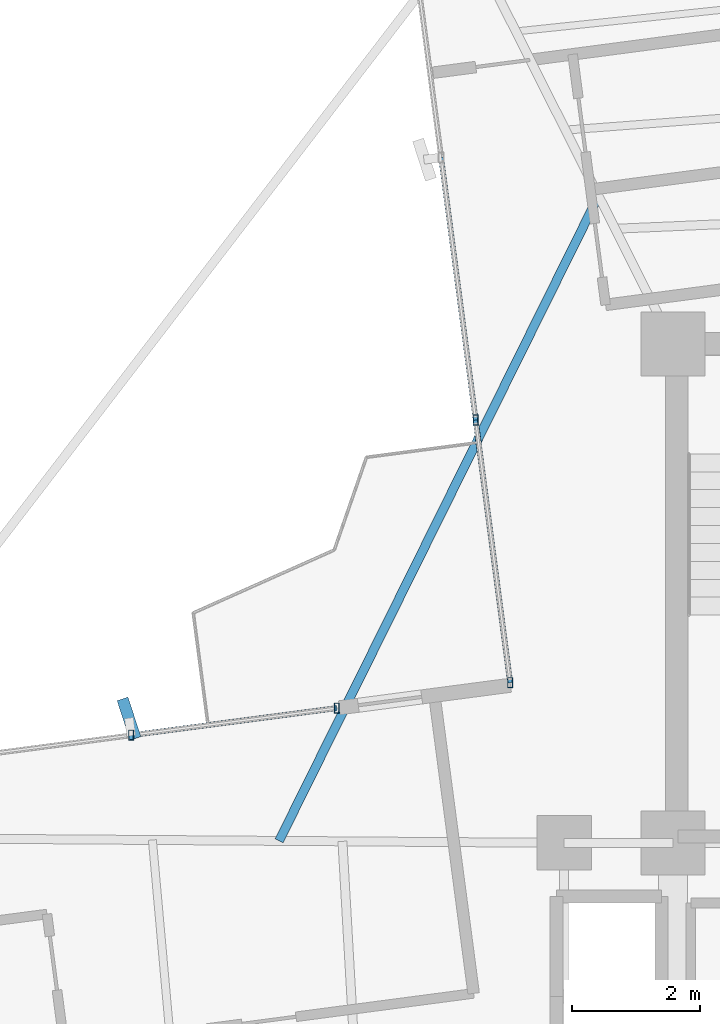
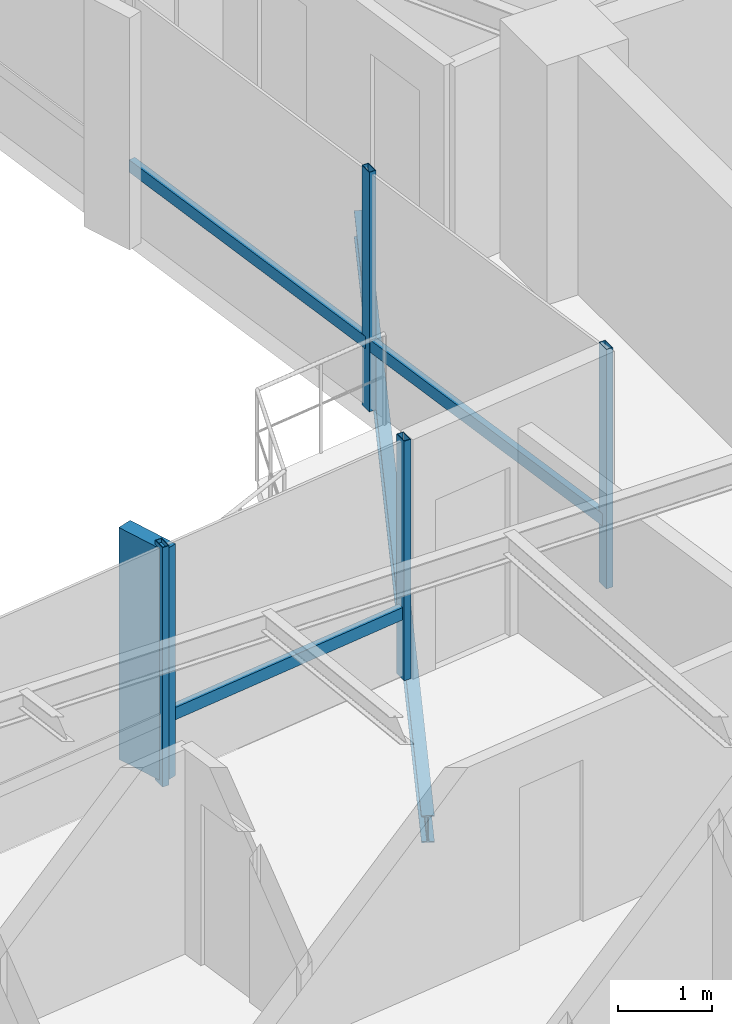
# One storey, part 8 of 21: 8 members, 1 beam, 2 elements without a shape of their own.
"""IFC4 building model written with IfcOpenShell, lengths in metres."""

from ifc_helpers import new_model, si_unit, direction, frame, origin, origin_2d, place, context, subcontext, project, spatial, rectangle, hollow_rectangle, i_section, extrude, source, transform, mapped, material, material_profile, profile_set, type_object, element, aggregate, save


model = new_model("IFC4")

# Units and contexts
model_context = context("Model", 3, precision=1e-05, world=origin(), true_north=direction((0.0, 1.0)))
body_context = subcontext(model_context, "Body", "Model", "MODEL_VIEW")
ifc_project = project(units=[si_unit("LENGTHUNIT", "METRE"), si_unit("AREAUNIT", "SQUARE_METRE"), si_unit("VOLUMEUNIT", "CUBIC_METRE"), si_unit("PLANEANGLEUNIT", "RADIAN"), si_unit("MASSUNIT", "GRAM", prefix="KILO")], contexts=[model_context])

# Site, building, storey
site_placement = place(None, origin())
site = spatial("IfcSite", under=ifc_project, at=site_placement, CompositionType="ELEMENT")
building_placement = place(site_placement, origin())
building = spatial("IfcBuilding", under=site, at=building_placement, Name="Sahyath Konkavel Grand Hotel", CompositionType="ELEMENT")
storey_placement = place(building_placement, frame((0.0, 0.0, 209.85009765625)))
storey = spatial("IfcBuildingStorey", under=building, at=storey_placement, Name="L58", CompositionType="ELEMENT", Elevation=209.85009765625)

# Curtain wall, members
ifc_material_1 = material(Name="Anodised Bronze Aluminium & Low-E Glazing", Category="aluminium")
curtain_wall_type = type_object("IfcCurtainWallType", Name="CW-ZONE4", PredefinedType="NOTDEFINED", material=ifc_material_1)
curtain_wall_1_placement = place(storey_placement, origin())
curtain_wall_1 = element("IfcCurtainWall", 1, at=curtain_wall_1_placement, inside=storey, type_object=curtain_wall_type, Name="L58 Unitised Curtain Wall F15", PredefinedType="NOTDEFINED")
ifc_material_2 = material(Name="Anodised Bronze Aluminium", Category="aluminium")
ifc_material_profile_1 = material_profile(ifc_material_2, hollow_rectangle(XDim=0.080078125, YDim=0.159912109375, WallThickness=0.006103515625, at=origin_2d()), Name="RHS 160x80x6")
ifc_profile_set_1 = profile_set([ifc_material_profile_1], Name="Anodised Bronze Aluminium")
member_type_1 = type_object("IfcMemberType", Name="CW-MUL-160", PredefinedType="MULLION", material=ifc_profile_set_1)
shared_shape_1 = source(origin(), body_context, "Body", "SweptSolid", [
    extrude(hollow_rectangle(XDim=0.080078125, YDim=0.159912109375, WallThickness=0.006103515625, at=origin_2d()), origin(), (0.0, 0.0, 1.0), 3.10986328125),
])
member_1_placement = place(storey_placement, frame((-6.884765625, 9.008544921875, 0.0), z_axis=(0.0, 0.0, 1.0), x_axis=(1.0, 0.0, 0.0)))
member_1 = element("IfcMember", 2, at=member_1_placement, type_object=member_type_1, Name="L58 Curtain Wall Mullion F15-2", PredefinedType="MULLION", context=body_context, shape_type="MappedRepresentation", body=[
    mapped(shared_shape_1, transform((0.0, 0.0, 0.0), scale=1.0)),
])
member_2_placement = place(storey_placement, frame((-6.34423828125, 4.90380859375, 0.0), z_axis=(0.0, 0.0, 1.0), x_axis=(1.0, 0.0, 0.0)))
member_2 = element("IfcMember", 3, at=member_2_placement, type_object=member_type_1, Name="L58 Curtain Wall Mullion F15-3", PredefinedType="MULLION", context=body_context, shape_type="MappedRepresentation", body=[
    mapped(shared_shape_1, transform((0.0, 0.0, 0.0), scale=1.0)),
])

curtain_wall_2_placement = place(storey_placement, origin())
curtain_wall_2 = element("IfcCurtainWall", 4, at=curtain_wall_2_placement, inside=storey, type_object=curtain_wall_type, Name="L58 Unitised Curtain Wall F16", PredefinedType="NOTDEFINED")
member_3_placement = place(storey_placement, frame((-9.0556640625, 4.506591796875, 0.0), z_axis=(0.0, 0.0, 1.0), x_axis=(1.0, 0.0, 0.0)))
member_3 = element("IfcMember", 5, at=member_3_placement, type_object=member_type_1, Name="L58 Curtain Wall Mullion F16-0", PredefinedType="MULLION", context=body_context, shape_type="MappedRepresentation", body=[
    mapped(shared_shape_1, transform((0.0, 0.0, 0.0), scale=1.0)),
])
member_4_placement = place(storey_placement, frame((-12.26806640625, 4.083740234375, 0.0), z_axis=(0.0, 0.0, 1.0), x_axis=(1.0, 0.0, 0.0)))
member_4 = element("IfcMember", 6, at=member_4_placement, type_object=member_type_1, Name="L58 Curtain Wall Mullion F16-1", PredefinedType="MULLION", context=body_context, shape_type="MappedRepresentation", body=[
    mapped(shared_shape_1, transform((0.0, 0.0, 0.0), scale=1.0)),
])
ifc_material_3 = material(Name="Warm Buff Sandstone Cladding on Concrete C50/60", Category="masonry")
ifc_material_profile_2 = material_profile(ifc_material_3, rectangle(XDim=0.179931640625, YDim=0.64990234375, at=origin_2d()), Name="FIN 180x650")
ifc_profile_set_2 = profile_set([ifc_material_profile_2], Name="Warm Buff Sandstone Cladding on Concrete C50/60")
member_type_2 = type_object("IfcMemberType", Name="FIN-SANDSTONE-650", PredefinedType="MULLION", material=ifc_profile_set_2)
shared_shape_2 = source(origin(), body_context, "Body", "SweptSolid", [
    extrude(rectangle(XDim=0.179931640625, YDim=0.64990234375, at=origin_2d()), origin(), (0.0, 0.0, 1.0), 3.010009765625),
])
member_5_placement = place(storey_placement, frame((-12.302001953125, 4.341552734375, 0.0498046875), z_axis=(0.0, 0.0, 1.0), x_axis=(0.951164325631, 0.308684994204, 0.0)))
member_5 = element("IfcMember", 7, at=member_5_placement, type_object=member_type_2, Name="L58 Sandstone Vertical Solar Fin FIN F16-1", PredefinedType="MULLION", context=body_context, shape_type="MappedRepresentation", body=[
    mapped(shared_shape_2, transform((0.0, 0.0, 0.0), scale=1.0)),
])
ifc_material_profile_3 = material_profile(ifc_material_2, hollow_rectangle(XDim=0.080078125, YDim=0.159912109375, WallThickness=0.006103515625, at=origin_2d()), Name="RHS 160x80x6")
ifc_profile_set_3 = profile_set([ifc_material_profile_3], Name="Anodised Bronze Aluminium")
member_type_3 = type_object("IfcMemberType", Name="CW-TRN-160", PredefinedType="USERDEFINED", material=ifc_profile_set_3)
shared_shape_3 = source(origin(), body_context, "Body", "SweptSolid", [
    extrude(hollow_rectangle(XDim=0.080078125, YDim=0.159912109375, WallThickness=0.006103515625, at=origin_2d()), origin(), (0.0, 0.0, 1.0), 3.240234375),
])
member_6_placement = place(storey_placement, frame((-9.0556640625, 4.506591796875, 0.849853515625), z_axis=(-0.991447626157, -0.130505189885, 0.0), x_axis=(0.130505189885, -0.991447626157, 0.0)))
member_6 = element("IfcMember", 8, at=member_6_placement, type_object=member_type_3, Name="L58 Curtain Wall Transom F16-0-spandrel", ObjectType="TRANSOM", PredefinedType="USERDEFINED", context=body_context, shape_type="MappedRepresentation", body=[
    mapped(shared_shape_3, transform((0.0, 0.0, 0.0), scale=1.0)),
])
aggregate(curtain_wall_2, [member_3, member_4, member_5, member_6])

# Member
shared_shape_4 = source(origin(), body_context, "Body", "SweptSolid", [
    extrude(hollow_rectangle(XDim=0.080078125, YDim=0.159912109375, WallThickness=0.006103515625, at=origin_2d()), origin(), (0.0, 0.0, 1.0), 4.139892578125),
])
member_7_placement = place(storey_placement, frame((-7.425048828125, 13.113037109375, 0.849853515625), z_axis=(0.130506379383, -0.991447469582, 0.0), x_axis=(0.991447469582, 0.130506379383, 0.0)))
member_7 = element("IfcMember", 9, at=member_7_placement, type_object=member_type_3, Name="L58 Curtain Wall Transom F15-1-spandrel", ObjectType="TRANSOM", PredefinedType="USERDEFINED", context=body_context, shape_type="MappedRepresentation", body=[
    mapped(shared_shape_4, transform((0.0, 0.0, 0.0), scale=1.0)),
])

shared_shape_5 = source(origin(), body_context, "Body", "SweptSolid", [
    extrude(hollow_rectangle(XDim=0.080078125, YDim=0.159912109375, WallThickness=0.006103515625, at=origin_2d()), origin(), (0.0, 0.0, 1.0), 4.14013671875),
])
member_8_placement = place(storey_placement, frame((-6.884765625, 9.008544921875, 0.849853515625), z_axis=(0.130556713596, -0.99144084268, 0.0), x_axis=(0.99144084268, 0.130556713596, 0.0)))
member_8 = element("IfcMember", 10, at=member_8_placement, type_object=member_type_3, Name="L58 Curtain Wall Transom F15-2-spandrel", ObjectType="TRANSOM", PredefinedType="USERDEFINED", context=body_context, shape_type="MappedRepresentation", body=[
    mapped(shared_shape_5, transform((0.0, 0.0, 0.0), scale=1.0)),
])

aggregate(curtain_wall_1, [member_1, member_2, member_7, member_8])

# Beam
ifc_material_4 = material(Name="Steel E350", Category="steel")
ifc_material_profile_4 = material_profile(ifc_material_4, i_section(OverallWidth=0.139892578125, OverallDepth=0.35009765625, WebThickness=0.008056640625, FlangeThickness=0.01416015625, FilletRadius=0.013916015625, at=origin_2d()), Name="ISMB 350")
ifc_profile_set_4 = profile_set([ifc_material_profile_4], Name="Steel E350")
beam_type = type_object("IfcBeamType", Name="BM-BALC-CANT", PredefinedType="BEAM", material=ifc_profile_set_4)
shared_shape_6 = source(origin(), body_context, "Body", "SweptSolid", [
    extrude(i_section(OverallWidth=0.139892578125, OverallDepth=0.35009765625, WebThickness=0.008056640625, FlangeThickness=0.01416015625, FilletRadius=0.013916015625, at=origin_2d()), origin(), (0.0, 0.0, 1.0), 11.25),
])
beam_placement = place(storey_placement, frame((-4.962890625, 12.512939453125, -0.4150390625), z_axis=(-0.443833696027, -0.896109173188, 0.0), x_axis=(0.896109173188, -0.443833696027, 0.0)))
element("IfcBeam", 11, at=beam_placement, inside=storey, type_object=beam_type, Name="L58 Balcony Cantilever Support Beam NW", PredefinedType="BEAM", context=body_context, shape_type="MappedRepresentation", body=[
    mapped(shared_shape_6, transform((0.0, 0.0, 0.0), scale=1.0)),
])

save(model, "model.ifc")
